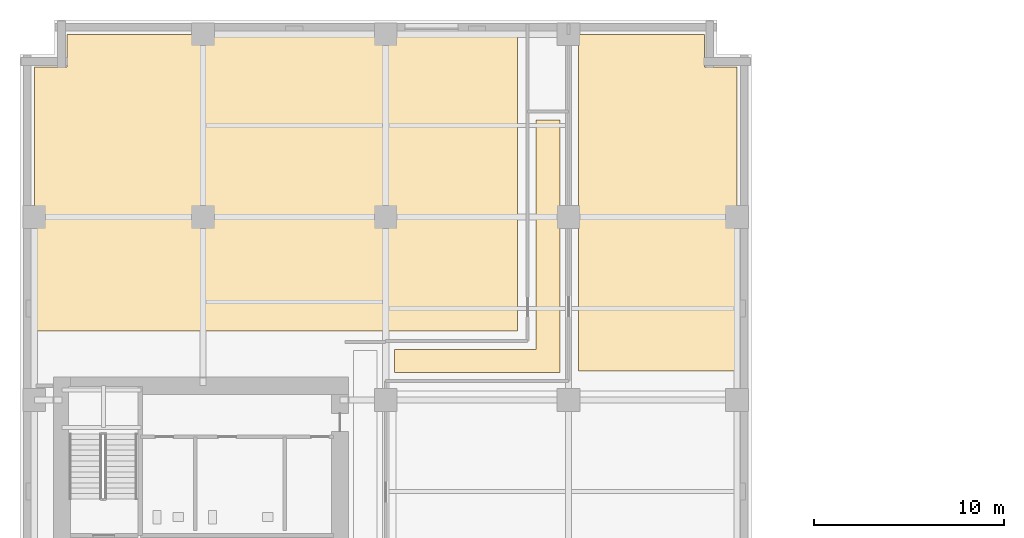
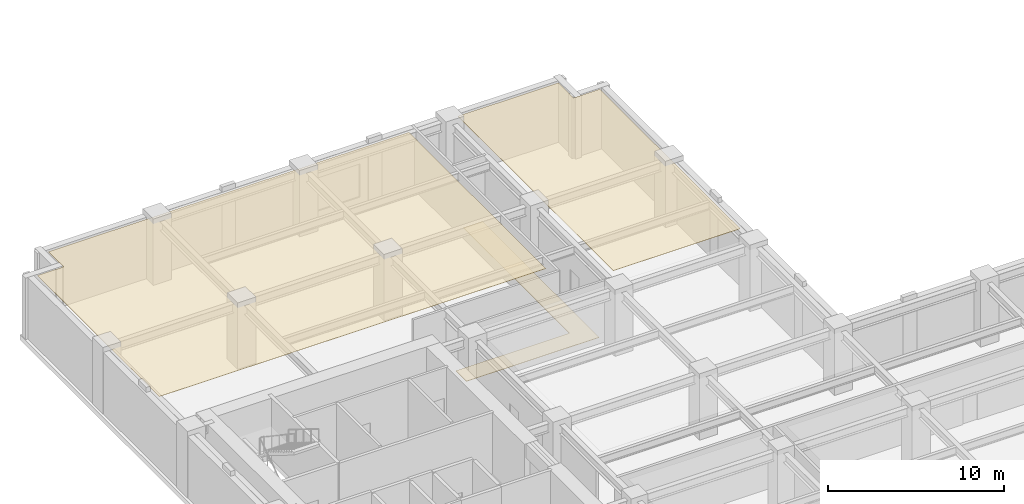
# One storey, part 21 of 24: 3 coverings.
"""IFC4 building model written with IfcOpenShell, lengths in metres."""

from ifc_helpers import new_model, si_unit, direction, frame, origin, place, context, subcontext, project, spatial, polyline, outline, extrude, material, layer, layer_set, type_object, element, save


model = new_model("IFC4")

# Units and contexts
model_context = context("Model", 3, precision=1e-05, world=origin(), true_north=direction((0.0, 1.0)))
body_context = subcontext(model_context, "Body", "Model", "MODEL_VIEW")
ifc_project = project(units=[si_unit("LENGTHUNIT", "METRE"), si_unit("AREAUNIT", "SQUARE_METRE"), si_unit("VOLUMEUNIT", "CUBIC_METRE"), si_unit("PLANEANGLEUNIT", "RADIAN"), si_unit("MASSUNIT", "GRAM", prefix="KILO")], contexts=[model_context])

# Site, building, storey
site_placement = place(None, origin())
site = spatial("IfcSite", under=ifc_project, at=site_placement, CompositionType="ELEMENT")
building_placement = place(site_placement, origin())
building = spatial("IfcBuilding", under=site, at=building_placement, Name="Norrvale University Quadrangle", CompositionType="ELEMENT")
storey_placement = place(building_placement, frame((0.0, 0.0, 15.0)))
storey = spatial("IfcBuildingStorey", under=building, at=storey_placement, Name="L03", CompositionType="ELEMENT", Elevation=15.0)

# Coverings
ifc_material_1 = material(Name="Perforated Acoustic Mineral Ceiling")
ifc_layer_1 = layer(ifc_material_1, 0.02490234375, Name="Perforated Acoustic Mineral Ceiling")
ifc_layer_set_1 = layer_set([ifc_layer_1], Name="Perforated Acoustic Mineral Ceiling")
covering_type_1 = type_object("IfcCoveringType", Name="Covering Acoustic Ceiling 25", PredefinedType="CEILING", material=ifc_layer_set_1)
covering_1_placement = place(storey_placement, frame((0.0, 0.0, 4.235107421875)))
element("IfcCovering", 1, at=covering_1_placement, inside=storey, type_object=covering_type_1, Name="Acoustic Ceiling RM-L03-NE01", PredefinedType="CEILING", context=body_context, shape_type="SweptSolid", body=[
    extrude(outline(polyline([(37.64990234375, 48.780029296875), (29.330078125, 48.780029296875), (29.330078125, 66.449951171875), (35.929931640625, 66.449951171875), (35.929931640625, 64.72998046875), (37.64990234375, 64.72998046875), (37.64990234375, 48.780029296875)])), origin(), (0.0, 0.0, 1.0), 0.02490234375),
])
covering_2_placement = place(storey_placement, frame((0.0, 0.0, 4.235107421875)))
element("IfcCovering", 2, at=covering_2_placement, inside=storey, type_object=covering_type_1, Name="Acoustic Ceiling RM-L03-NW01", PredefinedType="CEILING", context=body_context, shape_type="SweptSolid", body=[
    extrude(outline(polyline([(26.1201171875, 66.449951171875), (26.1201171875, 50.8798828125), (0.75, 50.8798828125), (0.75, 64.72998046875), (2.469970703125, 64.72998046875), (2.469970703125, 66.449951171875), (26.1201171875, 66.449951171875)])), origin(), (0.0, 0.0, 1.0), 0.02490234375),
])
ifc_material_2 = material(Name="Polished Terrazzo Flooring")
ifc_layer_2 = layer(ifc_material_2, 0.02490234375, Name="Polished Terrazzo Flooring")
ifc_layer_set_2 = layer_set([ifc_layer_2], Name="Polished Terrazzo Flooring")
covering_type_2 = type_object("IfcCoveringType", Name="Covering Terrazzo Floor 30", PredefinedType="FLOORING", material=ifc_layer_set_2)
covering_3_placement = place(storey_placement, origin())
element("IfcCovering", 3, at=covering_3_placement, inside=storey, type_object=covering_type_2, Name="Terrazzo Flooring RM-L03-NCJOG", PredefinedType="FLOORING", context=body_context, shape_type="SweptSolid", body=[
    extrude(outline(polyline([(19.64990234375, 48.699951171875), (19.64990234375, 49.89990234375), (27.10009765625, 49.89990234375), (27.10009765625, 61.949951171875), (28.35009765625, 61.949951171875), (28.35009765625, 48.699951171875), (19.64990234375, 48.699951171875)])), origin(), (0.0, 0.0, 1.0), 0.02490234375),
])

save(model, "model.ifc")
